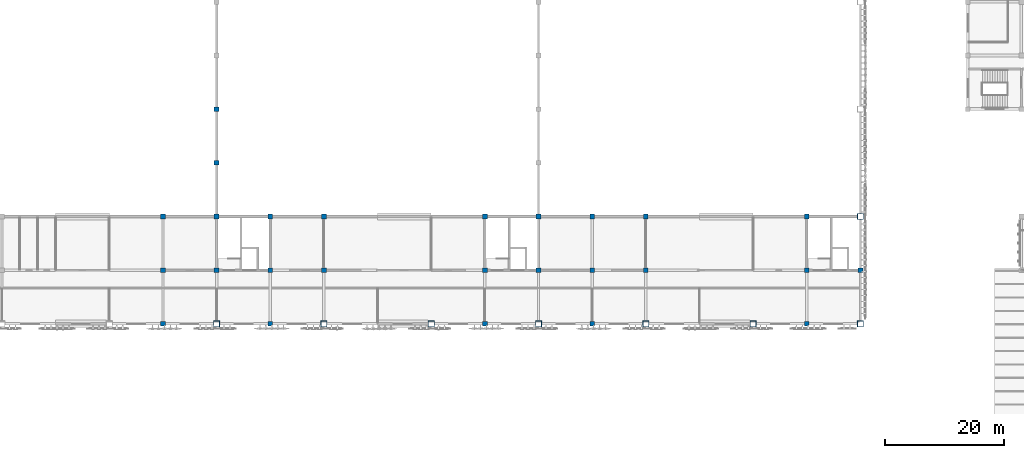
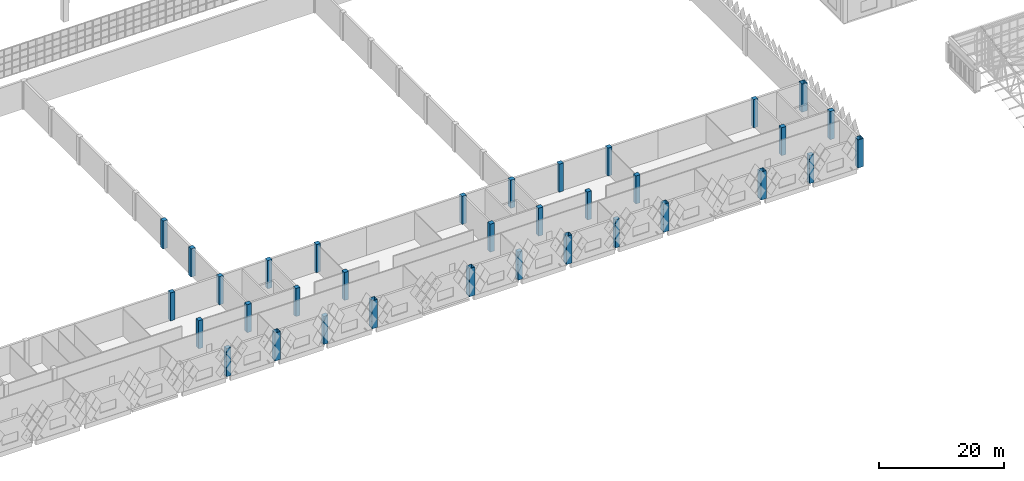
# One storey, part 4 of 185: 34 columns.
"""IFC4 building model written with IfcOpenShell, lengths in metres."""

from ifc_helpers import new_model, si_unit, direction, frame, origin, origin_2d, place, context, subcontext, project, spatial, rectangle, hollow_rectangle, extrude, material, material_profile, profile_set, type_object, element, save


model = new_model("IFC4")

# Units and contexts
model_context = context("Model", 3, precision=1e-05, world=origin(), true_north=direction((0.0, 1.0)))
body_context = subcontext(model_context, "Body", "Model", "MODEL_VIEW")
ifc_project = project(units=[si_unit("LENGTHUNIT", "METRE"), si_unit("AREAUNIT", "SQUARE_METRE"), si_unit("VOLUMEUNIT", "CUBIC_METRE"), si_unit("PLANEANGLEUNIT", "RADIAN"), si_unit("MASSUNIT", "GRAM", prefix="KILO")], contexts=[model_context])

# Site, building, storey
site_placement = place(None, origin())
site = spatial("IfcSite", under=ifc_project, at=site_placement, CompositionType="ELEMENT")
building_placement = place(site_placement, origin())
building = spatial("IfcBuilding", under=site, at=building_placement, Name="Opaline Strait Convention Centre", CompositionType="ELEMENT")
storey_placement = place(building_placement, frame((0.0, 0.0, 6.0)))
storey = spatial("IfcBuildingStorey", under=building, at=storey_placement, Name="L01", CompositionType="ELEMENT", Elevation=6.0)

# Columns
ifc_material_1 = material(Name="Steel Q355B", Category="steel")
ifc_material_profile_1 = material_profile(ifc_material_1, hollow_rectangle(XDim=1.0, YDim=1.0, WallThickness=0.031982421875, at=origin_2d()), Name="BOX 1000x1000x32")
ifc_profile_set_1 = profile_set([ifc_material_profile_1], Name="Steel Q355B")
column_type_1 = type_object("IfcColumnType", Name="CFT column BOX 1000x1000x32 C60 fill", PredefinedType="COLUMN", material=ifc_profile_set_1)
for number, where, z_axis, x_axis, name in (
    (1, (153.0, 54.0, 0.0), (0.0, 0.0, 1.0), (1.0, 0.0, 0.0), "Roof column XC-12"),
    (2, (171.0, 54.0, 0.0), (0.0, 0.0, 1.0), (1.0, 0.0, 0.0), "Roof column XC-14"),
    (3, (189.0, 54.0, 0.0), (0.0, 0.0, 1.0), (1.0, 0.0, 0.0), "Roof column XC-16"),
    (4, (207.0, 54.0, 0.0), (0.0, 0.0, 1.0), (1.0, 0.0, 0.0), "Roof column XC-18"),
    (5, (225.0, 54.0, 0.0), (0.0, 0.0, 1.0), (1.0, 0.0, 0.0), "Roof column XC-20"),
    (6, (243.0, 54.0, 0.0), (0.0, 0.0, 1.0), (1.0, 0.0, 0.0), "Roof column XC-22"),
    (7, (261.0, 54.0, 0.0), (0.0, 0.0, 1.0), (1.0, 0.0, 0.0), "Roof column XC-24"),
    (8, (261.0, 72.0, 0.0), (0.0, 0.0, 1.0), (1.0, 0.0, 0.0), "Roof column XC-25"),
):
    element("IfcColumn", number, at=place(storey_placement, frame(where, z_axis=z_axis, x_axis=x_axis)), inside=storey, type_object=column_type_1, Name=name, ObjectType="XC1", PredefinedType="COLUMN", context=body_context, shape_type="SweptSolid", body=[
        extrude(hollow_rectangle(XDim=1.0, YDim=1.0, WallThickness=0.031982421875, at=origin_2d()), origin(), (0.0, 0.0, 1.0), 5.5),
    ])
ifc_material_2 = material(Name="Concrete C40", Category="concrete")
ifc_material_profile_2 = material_profile(ifc_material_2, rectangle(XDim=0.800048828125, YDim=0.800048828125, at=origin_2d()), Name="RC 800x800")
ifc_profile_set_2 = profile_set([ifc_material_profile_2], Name="Concrete C40")
column_type_2 = type_object("IfcColumnType", Name="RC column 800x800 C40", PredefinedType="COLUMN", material=ifc_profile_set_2)
for number, where, z_axis, x_axis, name in (
    (9, (144.0, 54.0, 0.0), (0.0, 0.0, 1.0), (1.0, 0.0, 0.0), "Strip column XC-32"),
    (10, (162.0, 54.0, 0.0), (0.0, 0.0, 1.0), (1.0, 0.0, 0.0), "Strip column XC-33"),
    (11, (198.0, 54.0, 0.0), (0.0, 0.0, 1.0), (1.0, 0.0, 0.0), "Strip column XC-34"),
    (12, (216.0, 54.0, 0.0), (0.0, 0.0, 1.0), (1.0, 0.0, 0.0), "Strip column XC-35"),
    (13, (252.0, 54.0, 0.0), (0.0, 0.0, 1.0), (1.0, 0.0, 0.0), "Strip column XC-36"),
    (14, (144.0, 63.0, 0.0), (0.0, 0.0, 1.0), (1.0, 0.0, 0.0), "Strip column XC-40"),
    (15, (153.0, 63.0, 0.0), (0.0, 0.0, 1.0), (1.0, 0.0, 0.0), "Strip column XC-41"),
    (16, (162.0, 63.0, 0.0), (0.0, 0.0, 1.0), (1.0, 0.0, 0.0), "Strip column XC-42"),
    (17, (171.0, 63.0, 0.0), (0.0, 0.0, 1.0), (1.0, 0.0, 0.0), "Strip column XC-43"),
    (18, (198.0, 63.0, 0.0), (0.0, 0.0, 1.0), (1.0, 0.0, 0.0), "Strip column XC-44"),
    (19, (207.0, 63.0, 0.0), (0.0, 0.0, 1.0), (1.0, 0.0, 0.0), "Strip column XC-45"),
    (20, (216.0, 63.0, 0.0), (0.0, 0.0, 1.0), (1.0, 0.0, 0.0), "Strip column XC-46"),
    (21, (225.0, 63.0, 0.0), (0.0, 0.0, 1.0), (1.0, 0.0, 0.0), "Strip column XC-47"),
    (22, (252.0, 63.0, 0.0), (0.0, 0.0, 1.0), (1.0, 0.0, 0.0), "Strip column XC-48"),
    (23, (261.0, 63.0, 0.0), (0.0, 0.0, 1.0), (1.0, 0.0, 0.0), "Strip column XC-49"),
    (24, (144.0, 72.0, 0.0), (0.0, 0.0, 1.0), (1.0, 0.0, 0.0), "Strip column XC-52"),
    (25, (153.0, 72.0, 0.0), (0.0, 0.0, 1.0), (1.0, 0.0, 0.0), "Strip column XC-53"),
    (26, (162.0, 72.0, 0.0), (0.0, 0.0, 1.0), (1.0, 0.0, 0.0), "Strip column XC-54"),
    (27, (171.0, 72.0, 0.0), (0.0, 0.0, 1.0), (1.0, 0.0, 0.0), "Strip column XC-55"),
    (28, (198.0, 72.0, 0.0), (0.0, 0.0, 1.0), (1.0, 0.0, 0.0), "Strip column XC-56"),
    (29, (207.0, 72.0, 0.0), (0.0, 0.0, 1.0), (1.0, 0.0, 0.0), "Strip column XC-57"),
    (30, (216.0, 72.0, 0.0), (0.0, 0.0, 1.0), (1.0, 0.0, 0.0), "Strip column XC-58"),
    (31, (225.0, 72.0, 0.0), (0.0, 0.0, 1.0), (1.0, 0.0, 0.0), "Strip column XC-59"),
    (32, (252.0, 72.0, 0.0), (0.0, 0.0, 1.0), (1.0, 0.0, 0.0), "Strip column XC-60"),
    (33, (153.0, 81.0, 0.0), (0.0, 0.0, 1.0), (1.0, 0.0, 0.0), "Fire wall pilaster"),
    (34, (153.0, 90.0, 0.0), (0.0, 0.0, 1.0), (1.0, 0.0, 0.0), "Fire wall pilaster"),
):
    element("IfcColumn", number, at=place(storey_placement, frame(where, z_axis=z_axis, x_axis=x_axis)), inside=storey, type_object=column_type_2, Name=name, ObjectType="XC2", PredefinedType="COLUMN", context=body_context, shape_type="SweptSolid", body=[
        extrude(rectangle(XDim=0.800048828125, YDim=0.800048828125, at=origin_2d()), origin(), (0.0, 0.0, 1.0), 5.5),
    ])

save(model, "model.ifc")
